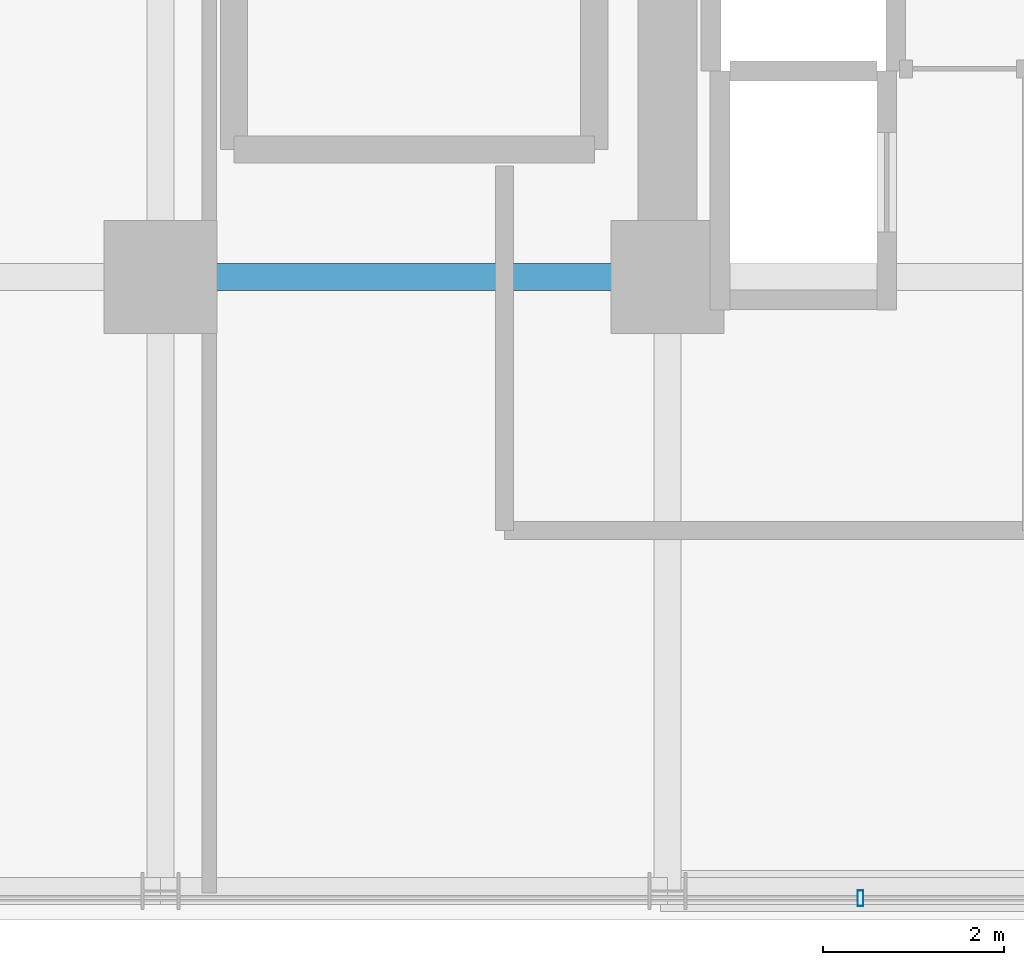
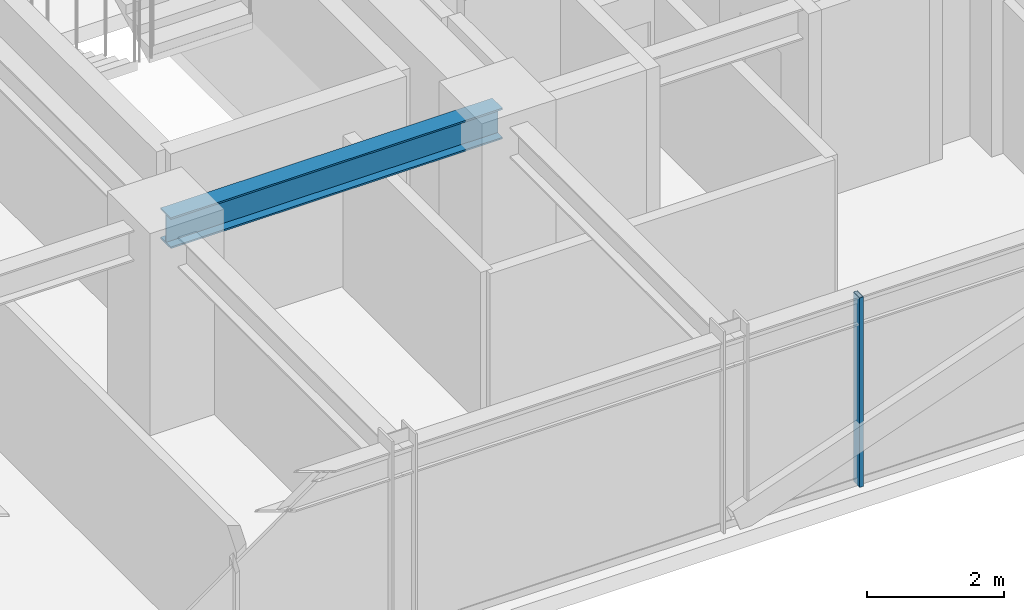
# One storey, part 10 of 40: 1 beam, 1 member, 1 element without a shape of its own.
"""IFC4 building model written with IfcOpenShell, lengths in metres."""

from ifc_helpers import new_model, si_unit, direction, frame, origin, origin_2d, place, context, subcontext, project, spatial, hollow_rectangle, i_section, extrude, source, transform, mapped, material, material_profile, profile_set, type_object, element, aggregate, save


model = new_model("IFC4")

# Units and contexts
model_context = context("Model", 3, precision=1e-05, world=origin(), true_north=direction((0.0, 1.0)))
body_context = subcontext(model_context, "Body", "Model", "MODEL_VIEW")
ifc_project = project(units=[si_unit("LENGTHUNIT", "METRE"), si_unit("AREAUNIT", "SQUARE_METRE"), si_unit("VOLUMEUNIT", "CUBIC_METRE"), si_unit("PLANEANGLEUNIT", "RADIAN"), si_unit("MASSUNIT", "GRAM", prefix="KILO")], contexts=[model_context])

# Site, building, storey
site_placement = place(None, origin())
site = spatial("IfcSite", under=ifc_project, at=site_placement, CompositionType="ELEMENT")
building_placement = place(site_placement, origin())
building = spatial("IfcBuilding", under=site, at=building_placement, Name="Nahalor Promenade Grand Hotel", CompositionType="ELEMENT")
storey_placement = place(building_placement, frame((0.0, 0.0, 91.949951171875)))
storey = spatial("IfcBuildingStorey", under=building, at=storey_placement, Name="L22", CompositionType="ELEMENT", Elevation=91.949951171875)

# Beam
ifc_material_1 = material(Name="Steel S355JR", Category="steel")
ifc_material_profile_1 = material_profile(ifc_material_1, i_section(OverallWidth=0.3, OverallDepth=0.55, WebThickness=0.015, FlangeThickness=0.029, at=origin_2d()), Name="HEB 550")
ifc_profile_set_1 = profile_set([ifc_material_profile_1], Name="Steel S355JR")
beam_type = type_object("IfcBeamType", Name="Beam-Girder-HEB550", PredefinedType="BEAM", material=ifc_profile_set_1)
shared_shape_1 = source(origin(), body_context, "Body", "SweptSolid", [
    extrude(i_section(OverallWidth=0.3, OverallDepth=0.55, WebThickness=0.015, FlangeThickness=0.029, at=origin_2d()), origin(), (0.0, 0.0, 1.0), 5.599853515625),
])
beam_placement = place(storey_placement, frame((2.800048828125, -17.0, 3.10498046875), z_axis=(1.0, 0.0, 0.0), x_axis=(0.0, 1.0, 0.0)))
element("IfcBeam", 1, at=beam_placement, inside=storey, type_object=beam_type, Name="BM-L22-GX-0-4", PredefinedType="BEAM", context=body_context, shape_type="MappedRepresentation", body=[
    mapped(shared_shape_1, transform((0.0, 0.0, 0.0), scale=1.0)),
])

# Curtain wall, member
ifc_material_2 = material(Name="Anodised Bronze Aluminium EN AW-6063 T6", Category="aluminium")
curtain_wall_type = type_object("IfcCurtainWallType", Name="CW2 Typical Hotel Flush Bronze Unitised Curtain Wall", PredefinedType="USERDEFINED", material=ifc_material_2)
curtain_wall_placement = place(storey_placement, origin())
curtain_wall = element("IfcCurtainWall", 2, at=curtain_wall_placement, inside=storey, type_object=curtain_wall_type, Name="L22 Curtain Wall CW-L22-S-1", ObjectType="UNITISED_CURTAIN_WALL", PredefinedType="USERDEFINED")
ifc_material_profile_2 = material_profile(ifc_material_2, hollow_rectangle(XDim=0.065, YDim=0.18, WallThickness=0.004, at=origin_2d()), Name="CWM 65x180x4")
ifc_profile_set_2 = profile_set([ifc_material_profile_2], Name="Anodised Bronze Aluminium EN AW-6063 T6")
member_type = type_object("IfcMemberType", Name="CWM2 Typical Bronze Mullion 65x180", PredefinedType="MULLION", material=ifc_profile_set_2)
shared_shape_2 = source(origin(), body_context, "Body", "SweptSolid", [
    extrude(hollow_rectangle(XDim=0.065, YDim=0.18, WallThickness=0.004, at=origin_2d()), origin(), (0.0, 0.0, 1.0), 3.380126953125),
])
member_placement = place(storey_placement, frame((10.530029296875, -23.860107421875, 0.0), z_axis=(0.0, 0.0, 1.0), x_axis=(1.0, 0.0, 0.0)))
member = element("IfcMember", 3, at=member_placement, type_object=member_type, Name="CW-L22-S-1 Mullion 3", PredefinedType="MULLION", context=body_context, shape_type="MappedRepresentation", body=[
    mapped(shared_shape_2, transform((0.0, 0.0, 0.0), scale=1.0)),
])
aggregate(curtain_wall, [member])

save(model, "model.ifc")
